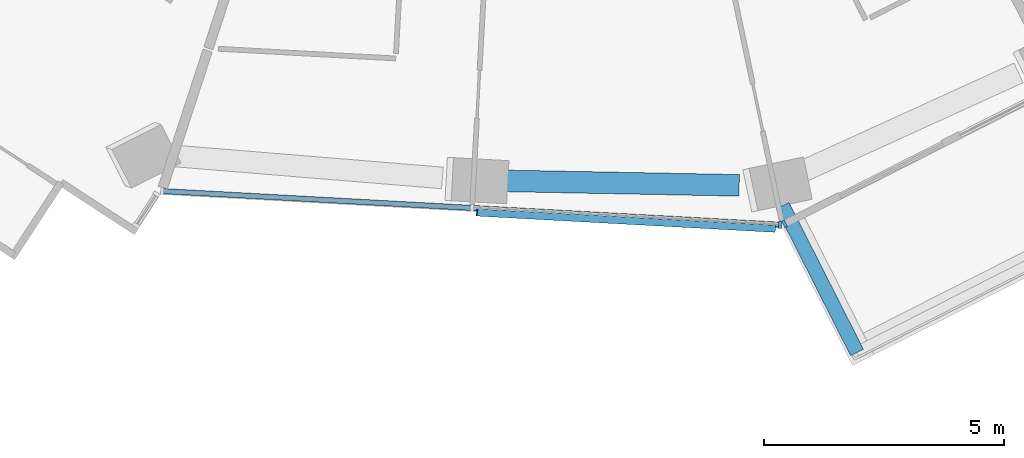
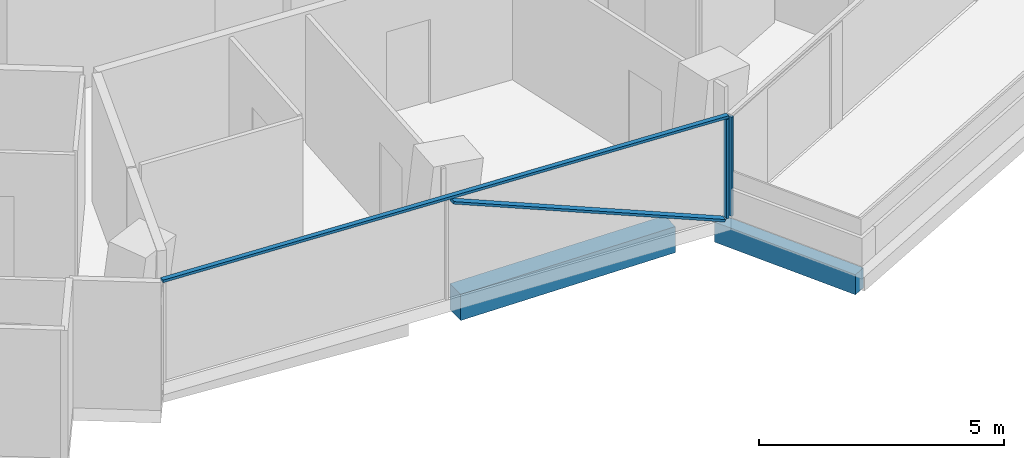
# One storey, part 3 of 23: 4 members, 2 beams, 2 elements without a shape of their own.
"""IFC4 building model written with IfcOpenShell, lengths in metres."""

from ifc_helpers import new_model, si_unit, direction, frame, origin, origin_2d, place, context, subcontext, project, spatial, rectangle, extrude, material, layer, layer_set, material_profile, profile_set, type_object, element, aggregate, save


model = new_model("IFC4")

# Units and contexts
model_context = context("Model", 3, precision=1e-05, world=origin(), true_north=direction((0.0, 1.0)))
body_context = subcontext(model_context, "Body", "Model", "MODEL_VIEW")
ifc_project = project(units=[si_unit("LENGTHUNIT", "METRE"), si_unit("AREAUNIT", "SQUARE_METRE"), si_unit("VOLUMEUNIT", "CUBIC_METRE"), si_unit("PLANEANGLEUNIT", "RADIAN"), si_unit("MASSUNIT", "GRAM", prefix="KILO")], contexts=[model_context])

# Site, building, storey
site_placement = place(None, origin())
site = spatial("IfcSite", under=ifc_project, at=site_placement, CompositionType="ELEMENT")
building_placement = place(site_placement, origin())
building = spatial("IfcBuilding", under=site, at=building_placement, Name="Verdalira Terraces Hotel", CompositionType="ELEMENT")
storey_placement = place(building_placement, frame((0.0, 0.0, 143.5)))
storey = spatial("IfcBuildingStorey", under=building, at=storey_placement, Name="L34", CompositionType="ELEMENT", Elevation=143.5)

# Beam
ifc_material_1 = material(Name="Concrete C40", Category="concrete")
ifc_material_profile_1 = material_profile(ifc_material_1, rectangle(XDim=0.300049, YDim=0.5, at=origin_2d()), Name="RC 300X500")
ifc_profile_set_1 = profile_set([ifc_material_profile_1], Name="Concrete C40")
beam_type_1 = type_object("IfcBeamType", Name="Balcony cantilever beam RC 300X500 C40", PredefinedType="BEAM", material=ifc_profile_set_1)
beam_1_placement = place(storey_placement, frame((5.156738, -24.099121, -0.560059), z_axis=(0.452130094, -0.891952004, 0.0), x_axis=(0.891952004, 0.452130094, 0.0)))
element("IfcBeam", 1, at=beam_1_placement, inside=storey, type_object=beam_type_1, Name="Balcony cantilever beam R26-1", PredefinedType="BEAM", context=body_context, shape_type="SweptSolid", body=[
    extrude(rectangle(XDim=0.300049, YDim=0.5, at=origin_2d()), origin(), (0.0, 0.0, 1.0), 3.431641),
])

# Curtain wall, member
ifc_material_2 = material(Name="Clear glass", Category="glass")
ifc_layer = layer(ifc_material_2, 0.14990234375)
ifc_layer_set = layer_set([ifc_layer], Name="CW1 curtain wall")
curtain_wall_type = type_object("IfcCurtainWallType", Name="CW1 curtain wall", PredefinedType="NOTDEFINED", material=ifc_layer_set)
curtain_wall_1_placement = place(storey_placement, origin())
curtain_wall_1 = element("IfcCurtainWall", 2, at=curtain_wall_1_placement, inside=storey, type_object=curtain_wall_type, Name="CW1 curtain wall L34 edge 25", PredefinedType="NOTDEFINED")
ifc_material_3 = material(Name="Terracotta frame", Category="masonry")
ifc_material_profile_2 = material_profile(ifc_material_3, rectangle(XDim=0.060059, YDim=0.149902, at=origin_2d()), Name="MU 60x150")
ifc_profile_set_2 = profile_set([ifc_material_profile_2], Name="Terracotta frame")
member_type_1 = type_object("IfcMemberType", Name="CW1 mullion 60x150", PredefinedType="MULLION", material=ifc_profile_set_2)
member_1_placement = place(storey_placement, frame((5.104004, -24.497559, 0.0), z_axis=(0.0, 0.0, 1.0), x_axis=(0.998517732, -0.054427365, 0.0)))
member_1 = element("IfcMember", 3, at=member_1_placement, type_object=member_type_1, Name="CW1 mullion", PredefinedType="MULLION", context=body_context, shape_type="SweptSolid", body=[
    extrude(rectangle(XDim=0.060059, YDim=0.149902, at=origin_2d()), origin(), (0.0, 0.0, 1.0), 2.475098),
])

curtain_wall_2_placement = place(storey_placement, origin())
curtain_wall_2 = element("IfcCurtainWall", 4, at=curtain_wall_2_placement, inside=storey, type_object=curtain_wall_type, Name="CW1 curtain wall L34 edge 26", PredefinedType="NOTDEFINED")
member_2_placement = place(storey_placement, frame((5.19873, -24.477539, 0.0), z_axis=(0.0, 0.0, 1.0), x_axis=(0.891955405, 0.452123386, 0.0)))
member_2 = element("IfcMember", 5, at=member_2_placement, type_object=member_type_1, Name="CW1 mullion", PredefinedType="MULLION", context=body_context, shape_type="SweptSolid", body=[
    extrude(rectangle(XDim=0.060059, YDim=0.149902, at=origin_2d()), origin(), (0.0, 0.0, 1.0), 2.475098),
])
aggregate(curtain_wall_2, [member_2])

# Member
ifc_material_4 = material(Name="Terracotta frame", Category="masonry")
ifc_material_profile_3 = material_profile(ifc_material_4, rectangle(XDim=0.110107, YDim=0.064941, at=origin_2d()), Name="TR 65x110")
ifc_profile_set_3 = profile_set([ifc_material_profile_3], Name="Terracotta frame")
member_type_2 = type_object("IfcMemberType", Name="CW1 transom 65x110", PredefinedType="USERDEFINED", material=ifc_profile_set_3)
member_3_placement = place(storey_placement, frame((-7.806641, -23.793701, 2.507568), z_axis=(0.998517942, -0.054423514, 0.0), x_axis=(0.054423514, 0.998517942, 0.0)))
member_3 = element("IfcMember", 6, at=member_3_placement, type_object=member_type_2, Name="CW1 transom", ObjectType="TRANSOM", PredefinedType="USERDEFINED", context=body_context, shape_type="SweptSolid", body=[
    extrude(rectangle(XDim=0.110107, YDim=0.064941, at=origin_2d()), origin(), (0.0, 0.0, 1.0), 12.959961),
])

ifc_material_5 = material(Name="Terracotta frame", Category="masonry")
ifc_material_profile_4 = material_profile(ifc_material_5, rectangle(XDim=0.149902, YDim=0.060059, at=origin_2d()), Name="GB 60x150")
ifc_profile_set_4 = profile_set([ifc_material_profile_4], Name="Terracotta frame")
member_type_3 = type_object("IfcMemberType", Name="Diagonal glazing bar 60x150", PredefinedType="USERDEFINED", material=ifc_profile_set_4)
member_4_placement = place(storey_placement, frame((-1.217285, -24.241943, 2.446289), z_axis=(0.930736058, -0.050728187, -0.362156101), x_axis=(0.054422527, 0.998517996, 0.0)))
member_4 = element("IfcMember", 7, at=member_4_placement, type_object=member_type_3, Name="Diagonal glazing bar", ObjectType="GLAZING BAR", PredefinedType="USERDEFINED", context=body_context, shape_type="SweptSolid", body=[
    extrude(rectangle(XDim=0.149902, YDim=0.060059, at=origin_2d()), origin(), (0.0, 0.0, 1.0), 6.675293),
])

aggregate(curtain_wall_1, [member_1, member_3, member_4])

# Beam
ifc_material_6 = material(Name="Concrete C50", Category="concrete")
ifc_material_profile_5 = material_profile(ifc_material_6, rectangle(XDim=0.449951, YDim=0.649902, at=origin_2d()), Name="RC 450X650")
ifc_profile_set_5 = profile_set([ifc_material_profile_5], Name="Concrete C50")
beam_type_2 = type_object("IfcBeamType", Name="Spandrel beam RC 450X650 C50", PredefinedType="SPANDREL", material=ifc_profile_set_5)
beam_2_placement = place(storey_placement, frame((-0.759033, -23.580322, -0.63501), z_axis=(0.999815824, -0.019191632, 0.0), x_axis=(0.019191632, 0.999815824, 0.0)))
element("IfcBeam", 8, at=beam_2_placement, inside=storey, type_object=beam_type_2, Name="Spandrel beam B10", PredefinedType="SPANDREL", context=body_context, shape_type="SweptSolid", body=[
    extrude(rectangle(XDim=0.449951, YDim=0.649902, at=origin_2d()), origin(), (0.0, 0.0, 1.0), 5.012207),
])

save(model, "model.ifc")
